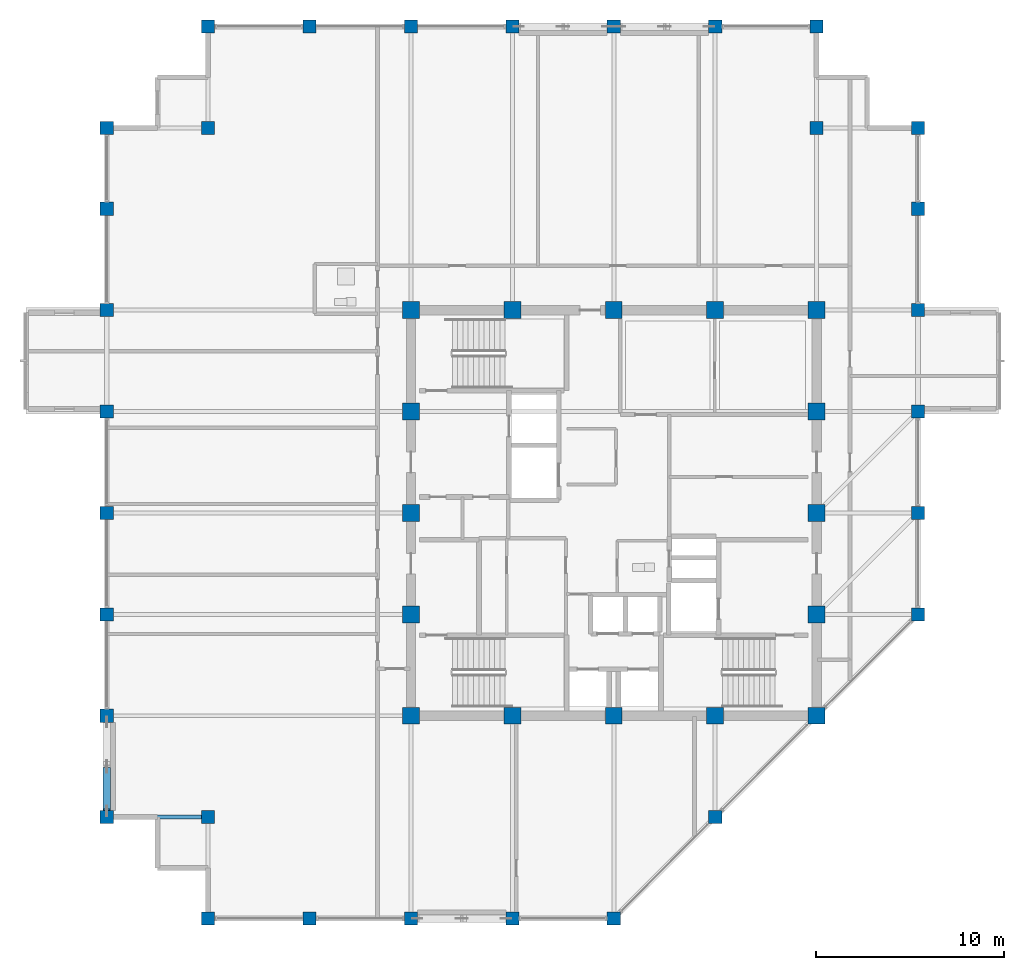
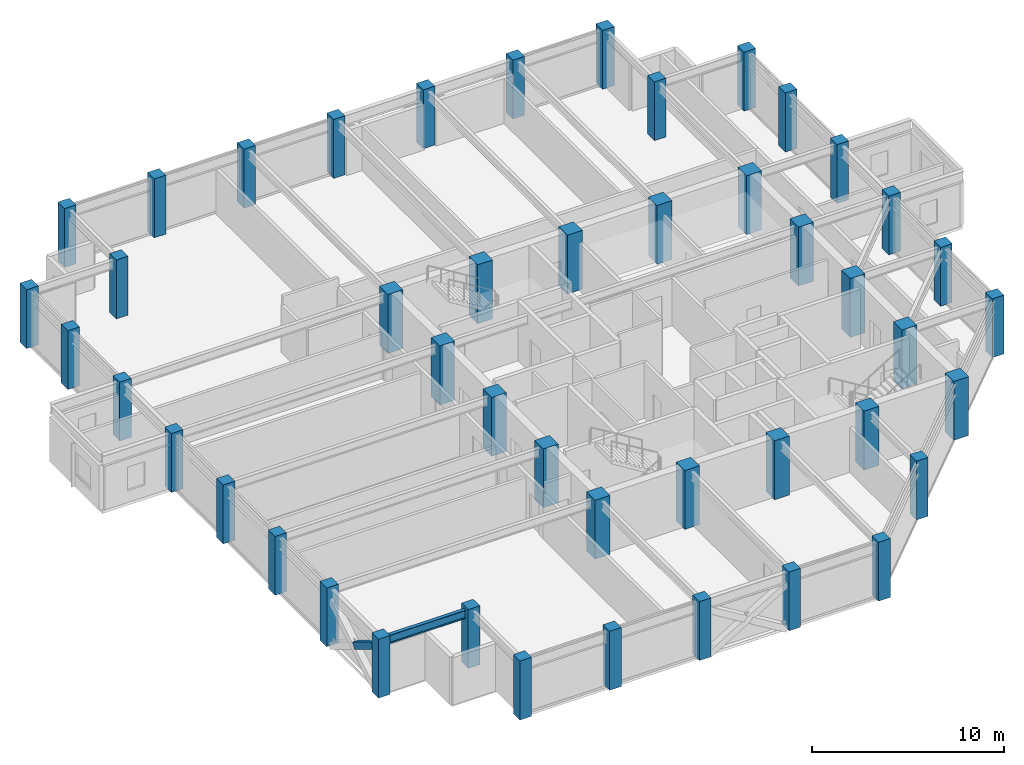
# One storey, part 1 of 31: 46 columns, 1 beam, 1 member.
"""IFC4 building model written with IfcOpenShell, lengths in metres."""

from ifc_helpers import new_model, si_unit, direction, frame, origin, origin_2d, place, context, subcontext, project, spatial, rectangle, hollow_rectangle, i_section, extrude, material, material_profile, profile_set, type_object, element, save


model = new_model("IFC4")

# Units and contexts
model_context = context("Model", 3, precision=1e-05, world=origin(), true_north=direction((0.0, 1.0)))
body_context = subcontext(model_context, "Body", "Model", "MODEL_VIEW")
ifc_project = project(units=[si_unit("LENGTHUNIT", "METRE"), si_unit("AREAUNIT", "SQUARE_METRE"), si_unit("VOLUMEUNIT", "CUBIC_METRE"), si_unit("PLANEANGLEUNIT", "RADIAN"), si_unit("MASSUNIT", "GRAM", prefix="KILO")], contexts=[model_context])

# Site, building, storey
site_placement = place(None, origin())
site = spatial("IfcSite", under=ifc_project, at=site_placement, CompositionType="ELEMENT")
building_placement = place(site_placement, origin())
building = spatial("IfcBuilding", under=site, at=building_placement, Name="Surkhivell Harbour Commons", CompositionType="ELEMENT")
storey_placement = place(building_placement, frame((0.0, 0.0, 262.5)))
storey = spatial("IfcBuildingStorey", under=building, at=storey_placement, Name="L68", CompositionType="ELEMENT", Elevation=262.5)

# Columns
ifc_material_1 = material(Name="Concrete C60/75", Category="concrete")
ifc_material_profile_1 = material_profile(ifc_material_1, rectangle(XDim=0.89990234375, YDim=0.89990234375, at=origin_2d()), Name="RC-COL-900x900")
ifc_profile_set_1 = profile_set([ifc_material_profile_1], Name="Concrete C60/75")
column_type_1 = type_object("IfcColumnType", Name="COL-TUBE-Z3A", PredefinedType="COLUMN", material=ifc_profile_set_1)
for number, where, z_axis, x_axis, name in (
    (1, (-10.800048828125, -10.800048828125, 0.0), (0.0, 0.0, 1.0), (1.0, 0.0, 0.0), "L68 Column CT-3A (-10.8,-10.8)"),
    (2, (-10.800048828125, -5.39990234375, 0.0), (0.0, 0.0, 1.0), (1.0, 0.0, 0.0), "L68 Column CT-3A (-10.8,-5.4)"),
    (3, (-10.800048828125, 0.0, 0.0), (0.0, 0.0, 1.0), (1.0, 0.0, 0.0), "L68 Column CT-3A (-10.8,0.0)"),
    (4, (-10.800048828125, 5.39990234375, 0.0), (0.0, 0.0, 1.0), (1.0, 0.0, 0.0), "L68 Column CT-3A (-10.8,5.4)"),
    (5, (-10.800048828125, 10.800048828125, 0.0), (0.0, 0.0, 1.0), (1.0, 0.0, 0.0), "L68 Column CT-3A (-10.8,10.8)"),
    (6, (-5.39990234375, -10.800048828125, 0.0), (0.0, 0.0, 1.0), (1.0, 0.0, 0.0), "L68 Column CT-3A (-5.4,-10.8)"),
    (7, (-5.39990234375, 10.800048828125, 0.0), (0.0, 0.0, 1.0), (1.0, 0.0, 0.0), "L68 Column CT-3A (-5.4,10.8)"),
    (8, (0.0, -10.800048828125, 0.0), (0.0, 0.0, 1.0), (1.0, 0.0, 0.0), "L68 Column CT-3A (0.0,-10.8)"),
    (9, (0.0, 10.800048828125, 0.0), (0.0, 0.0, 1.0), (1.0, 0.0, 0.0), "L68 Column CT-3A (0.0,10.8)"),
    (10, (5.39990234375, -10.800048828125, 0.0), (0.0, 0.0, 1.0), (1.0, 0.0, 0.0), "L68 Column CT-3A (5.4,-10.8)"),
    (11, (5.39990234375, 10.800048828125, 0.0), (0.0, 0.0, 1.0), (1.0, 0.0, 0.0), "L68 Column CT-3A (5.4,10.8)"),
    (12, (10.800048828125, -10.800048828125, 0.0), (0.0, 0.0, 1.0), (1.0, 0.0, 0.0), "L68 Column CT-3A (10.8,-10.8)"),
    (13, (10.800048828125, -5.39990234375, 0.0), (0.0, 0.0, 1.0), (1.0, 0.0, 0.0), "L68 Column CT-3A (10.8,-5.4)"),
    (14, (10.800048828125, 0.0, 0.0), (0.0, 0.0, 1.0), (1.0, 0.0, 0.0), "L68 Column CT-3A (10.8,0.0)"),
    (15, (10.800048828125, 5.39990234375, 0.0), (0.0, 0.0, 1.0), (1.0, 0.0, 0.0), "L68 Column CT-3A (10.8,5.4)"),
    (16, (10.800048828125, 10.800048828125, 0.0), (0.0, 0.0, 1.0), (1.0, 0.0, 0.0), "L68 Column CT-3A (10.8,10.8)"),
):
    element("IfcColumn", number, at=place(storey_placement, frame(where, z_axis=z_axis, x_axis=x_axis)), inside=storey, type_object=column_type_1, Name=name, PredefinedType="COLUMN", context=body_context, shape_type="SweptSolid", body=[
        extrude(rectangle(XDim=0.89990234375, YDim=0.89990234375, at=origin_2d()), origin(), (0.0, 0.0, 1.0), 3.75),
    ])
ifc_material_2 = material(Name="Concrete C50/60", Category="concrete")
ifc_material_profile_2 = material_profile(ifc_material_2, rectangle(XDim=0.699951171875, YDim=0.699951171875, at=origin_2d()), Name="RC-COL-700x700")
ifc_profile_set_2 = profile_set([ifc_material_profile_2], Name="Concrete C50/60")
column_type_2 = type_object("IfcColumnType", Name="COL-TUBE-Z4", PredefinedType="COLUMN", material=ifc_profile_set_2)
for number, where, z_axis, x_axis, name in (
    (17, (-27.0, -16.199951171875, 0.0), (0.0, 0.0, 1.0), (1.0, 0.0, 0.0), "L68 Column CT-4 (-27.0,-16.2)"),
    (18, (-27.0, -10.800048828125, 0.0), (0.0, 0.0, 1.0), (1.0, 0.0, 0.0), "L68 Column CT-4 (-27.0,-10.8)"),
    (19, (-27.0, -5.39990234375, 0.0), (0.0, 0.0, 1.0), (1.0, 0.0, 0.0), "L68 Column CT-4 (-27.0,-5.4)"),
    (20, (-27.0, 0.0, 0.0), (0.0, 0.0, 1.0), (1.0, 0.0, 0.0), "L68 Column CT-4 (-27.0,0.0)"),
    (21, (-27.0, 5.39990234375, 0.0), (0.0, 0.0, 1.0), (1.0, 0.0, 0.0), "L68 Column CT-4 (-27.0,5.4)"),
    (22, (-27.0, 10.800048828125, 0.0), (0.0, 0.0, 1.0), (1.0, 0.0, 0.0), "L68 Column CT-4 (-27.0,10.8)"),
    (23, (-27.0, 16.199951171875, 0.0), (0.0, 0.0, 1.0), (1.0, 0.0, 0.0), "L68 Column CT-4 (-27.0,16.2)"),
    (24, (-27.0, 20.5, 0.0), (0.0, 0.0, 1.0), (1.0, 0.0, 0.0), "L68 Column CT-4 (-27.0,20.5)"),
    (25, (-21.60009765625, -21.60009765625, 0.0), (0.0, 0.0, 1.0), (1.0, 0.0, 0.0), "L68 Column CT-4 (-21.6,-21.6)"),
    (26, (-21.60009765625, -16.199951171875, 0.0), (0.0, 0.0, 1.0), (1.0, 0.0, 0.0), "L68 Column CT-4 (-21.6,-16.2)"),
    (27, (-21.60009765625, 20.5, 0.0), (0.0, 0.0, 1.0), (1.0, 0.0, 0.0), "L68 Column CT-4 (-21.6,20.5)"),
    (28, (-21.60009765625, 25.89990234375, 0.0), (0.0, 0.0, 1.0), (1.0, 0.0, 0.0), "L68 Column CT-4 (-21.6,25.9)"),
    (29, (-16.199951171875, -21.60009765625, 0.0), (0.0, 0.0, 1.0), (1.0, 0.0, 0.0), "L68 Column CT-4 (-16.2,-21.6)"),
    (30, (-16.199951171875, 25.89990234375, 0.0), (0.0, 0.0, 1.0), (1.0, 0.0, 0.0), "L68 Column CT-4 (-16.2,25.9)"),
    (31, (-10.800048828125, -21.60009765625, 0.0), (0.0, 0.0, 1.0), (1.0, 0.0, 0.0), "L68 Column CT-4 (-10.8,-21.6)"),
    (32, (-10.800048828125, 25.89990234375, 0.0), (0.0, 0.0, 1.0), (1.0, 0.0, 0.0), "L68 Column CT-4 (-10.8,25.9)"),
    (33, (-5.39990234375, -21.60009765625, 0.0), (0.0, 0.0, 1.0), (1.0, 0.0, 0.0), "L68 Column CT-4 (-5.4,-21.6)"),
    (34, (-5.39990234375, 25.89990234375, 0.0), (0.0, 0.0, 1.0), (1.0, 0.0, 0.0), "L68 Column CT-4 (-5.4,25.9)"),
    (35, (0.0, -21.60009765625, 0.0), (0.0, 0.0, 1.0), (1.0, 0.0, 0.0), "L68 Column CT-4 (-0.0,-21.6)"),
    (36, (0.0, 25.89990234375, 0.0), (0.0, 0.0, 1.0), (1.0, 0.0, 0.0), "L68 Column CT-4 (-0.0,25.9)"),
    (37, (5.39990234375, -16.199951171875, 0.0), (0.0, 0.0, 1.0), (1.0, 0.0, 0.0), "L68 Column CT-4 (5.4,-16.2)"),
    (38, (5.39990234375, 25.89990234375, 0.0), (0.0, 0.0, 1.0), (1.0, 0.0, 0.0), "L68 Column CT-4 (5.4,25.9)"),
    (39, (10.800048828125, 20.5, 0.0), (0.0, 0.0, 1.0), (1.0, 0.0, 0.0), "L68 Column CT-4 (10.8,20.5)"),
    (40, (10.800048828125, 25.89990234375, 0.0), (0.0, 0.0, 1.0), (1.0, 0.0, 0.0), "L68 Column CT-4 (10.8,25.9)"),
    (41, (16.199951171875, -5.39990234375, 0.0), (0.0, 0.0, 1.0), (1.0, 0.0, 0.0), "L68 Column CT-4 (16.2,-5.4)"),
    (42, (16.199951171875, 0.0, 0.0), (0.0, 0.0, 1.0), (1.0, 0.0, 0.0), "L68 Column CT-4 (16.2,0.0)"),
    (43, (16.199951171875, 5.39990234375, 0.0), (0.0, 0.0, 1.0), (1.0, 0.0, 0.0), "L68 Column CT-4 (16.2,5.4)"),
    (44, (16.199951171875, 10.800048828125, 0.0), (0.0, 0.0, 1.0), (1.0, 0.0, 0.0), "L68 Column CT-4 (16.2,10.8)"),
    (45, (16.199951171875, 16.199951171875, 0.0), (0.0, 0.0, 1.0), (1.0, 0.0, 0.0), "L68 Column CT-4 (16.2,16.2)"),
    (46, (16.199951171875, 20.5, 0.0), (0.0, 0.0, 1.0), (1.0, 0.0, 0.0), "L68 Column CT-4 (16.2,20.5)"),
):
    element("IfcColumn", number, at=place(storey_placement, frame(where, z_axis=z_axis, x_axis=x_axis)), inside=storey, type_object=column_type_2, Name=name, PredefinedType="COLUMN", context=body_context, shape_type="SweptSolid", body=[
        extrude(rectangle(XDim=0.699951171875, YDim=0.699951171875, at=origin_2d()), origin(), (0.0, 0.0, 1.0), 3.75),
    ])

# Beam
ifc_material_3 = material(Name="Steel S355", Category="steel")
ifc_material_profile_3 = material_profile(ifc_material_3, i_section(OverallWidth=0.2099609375, OverallDepth=0.537109375, WebThickness=0.0107421875, FlangeThickness=0.017333984375, at=origin_2d()), Name="UB533x210x101")
ifc_profile_set_3 = profile_set([ifc_material_profile_3], Name="Steel S355")
beam_type = type_object("IfcBeamType", Name="BM-GRD-533B", PredefinedType="BEAM", material=ifc_profile_set_3)
beam_placement = place(storey_placement, frame((-27.0, -16.199951171875, 3.301513671875), z_axis=(1.0, 0.0, 0.0), x_axis=(0.0, 1.0, 0.0)))
element("IfcBeam", 47, at=beam_placement, inside=storey, type_object=beam_type, Name="L68 Floor Girder (-27.0,-16.2)", PredefinedType="BEAM", context=body_context, shape_type="SweptSolid", body=[
    extrude(i_section(OverallWidth=0.2099609375, OverallDepth=0.537109375, WebThickness=0.0107421875, FlangeThickness=0.017333984375, at=origin_2d()), origin(), (0.0, 0.0, 1.0), 5.39990234375),
])

# Member
ifc_material_4 = material(Name="Steel S460", Category="steel")
ifc_material_profile_4 = material_profile(ifc_material_4, hollow_rectangle(XDim=0.39990234375, YDim=0.39990234375, WallThickness=0.02001953125, at=origin_2d()), Name="SHS400x400x20")
ifc_profile_set_4 = profile_set([ifc_material_profile_4], Name="Steel S460")
member_type = type_object("IfcMemberType", Name="MEM-BRC-SHS400", PredefinedType="BRACE", material=ifc_profile_set_4)
member_placement = place(storey_placement, frame((-27.0, -13.6640625, 1.544189453125), z_axis=(0.0, -0.854677846108, 0.519158722716), x_axis=(1.0, 0.0, 0.0)))
element("IfcMember", 48, at=member_placement, inside=storey, type_object=member_type, Name="L68 Perimeter Mega-Brace MB- 12", PredefinedType="BRACE", context=body_context, shape_type="SweptSolid", body=[
    extrude(hollow_rectangle(XDim=0.39990234375, YDim=0.39990234375, WallThickness=0.02001953125, at=origin_2d()), origin(), (0.0, 0.0, 1.0), 2.5751953125),
])

save(model, "model.ifc")
